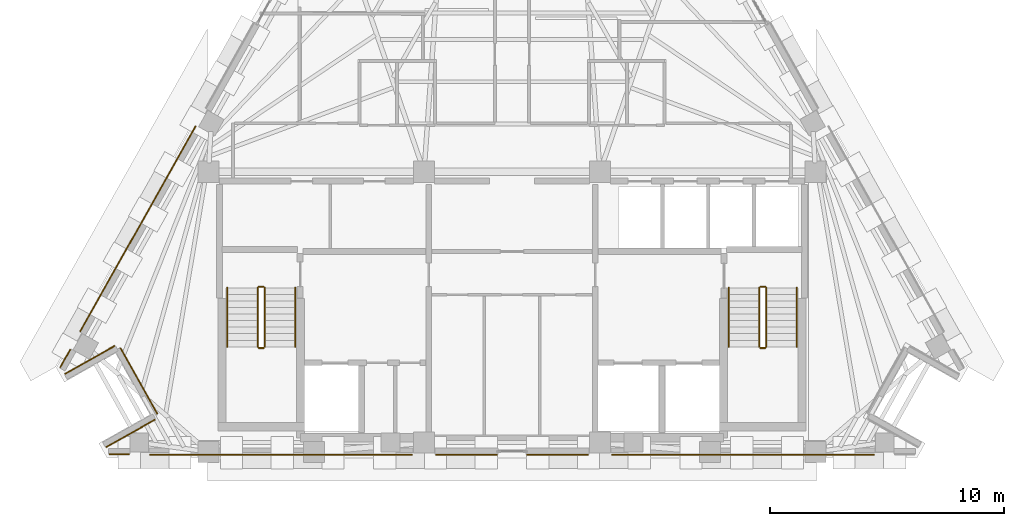
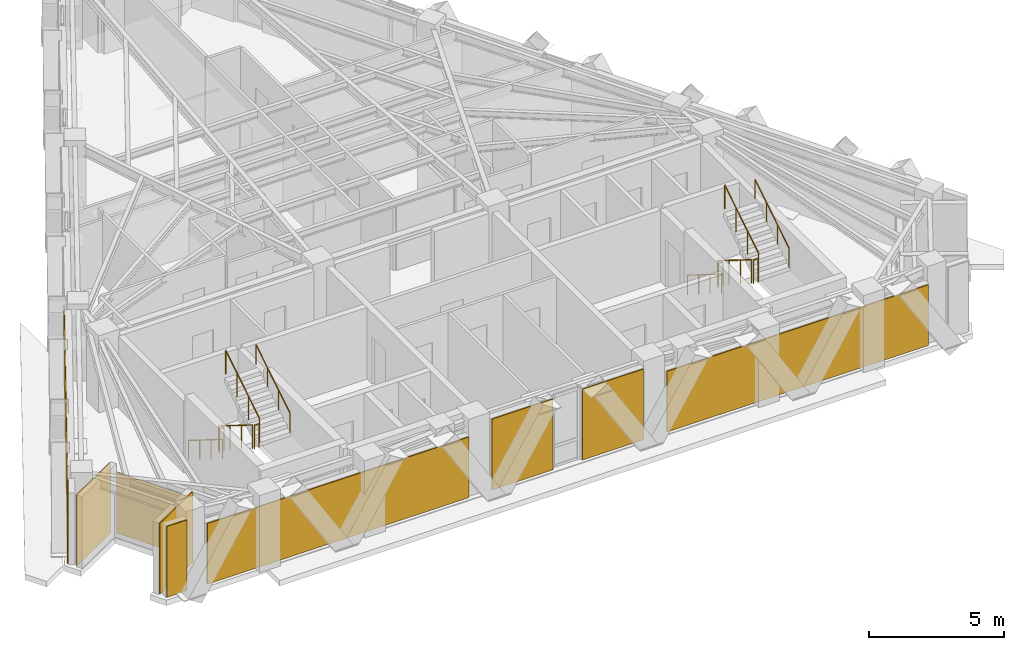
# One storey, part 8 of 9: 12 railings, 10 coverings.
"""IFC4 building model written with IfcOpenShell, lengths in metres."""

from ifc_helpers import new_model, si_unit, direction, frame, origin, origin_2d, place, context, subcontext, project, spatial, polyline, circle, outline, extrude, material, layer, layer_set, type_object, element, save


model = new_model("IFC4")

# Units and contexts
model_context = context("Model", 3, precision=1e-05, world=origin(), true_north=direction((0.0, 1.0)))
body_context = subcontext(model_context, "Body", "Model", "MODEL_VIEW")
ifc_project = project(units=[si_unit("LENGTHUNIT", "METRE"), si_unit("AREAUNIT", "SQUARE_METRE"), si_unit("VOLUMEUNIT", "CUBIC_METRE"), si_unit("PLANEANGLEUNIT", "RADIAN"), si_unit("MASSUNIT", "GRAM", prefix="KILO")], contexts=[model_context])

# Site, building, storey
site_placement = place(None, origin())
site = spatial("IfcSite", under=ifc_project, at=site_placement, CompositionType="ELEMENT")
building_placement = place(site_placement, origin())
building = spatial("IfcBuilding", under=site, at=building_placement, Name="Quenlor Broadcast Tower", CompositionType="ELEMENT")
storey_placement = place(building_placement, frame((0.0, 0.0, 228.89990234375)))
storey = spatial("IfcBuildingStorey", under=building, at=storey_placement, Name="L63", CompositionType="ELEMENT", Elevation=228.89990234375)

# Coverings
ifc_material_1 = material(Name="Architectural Terracotta Ceramic", Category="masonry")
ifc_layer = layer(ifc_material_1, 0.044921875)
ifc_layer_set = layer_set([ifc_layer], Name="Fluted Terracotta Rainscreen Cladding Panel")
covering_type = type_object("IfcCoveringType", Name="Fluted Terracotta Rainscreen Cladding Panel", PredefinedType="CLADDING", material=ifc_layer_set)
covering_1_placement = place(storey_placement, frame((0.0, 0.0, 0.02001953125)))
element("IfcCovering", 1, at=covering_1_placement, inside=storey, type_object=covering_type, Name="L63 Terracotta Rainscreen Cladding L63-SHD-SS1", PredefinedType="CLADDING", context=body_context, shape_type="SweptSolid", body=[
    extrude(outline(polyline([(-16.33251953125, -16.8369140625), (-17.18994140625, -16.8369140625), (-17.18994140625, -16.882080078125), (-16.33251953125, -16.882080078125), (-16.33251953125, -16.8369140625)])), origin(), (0.0, 0.0, 1.0), 3.2099609375),
])
covering_2_placement = place(storey_placement, frame((0.0, 0.0, 0.02001953125)))
element("IfcCovering", 2, at=covering_2_placement, inside=storey, type_object=covering_type, Name="L63 Terracotta Rainscreen Cladding L63-EW-SA", PredefinedType="CLADDING", context=body_context, shape_type="SweptSolid", body=[
    extrude(outline(polyline([(15.462646484375, -16.846923828125), (4.25, -16.846923828125), (4.25, -16.89208984375), (15.462646484375, -16.89208984375), (15.462646484375, -16.846923828125)])), origin(), (0.0, 0.0, 1.0), 2.749755859375),
])
covering_3_placement = place(storey_placement, frame((0.0, 0.0, 0.02001953125)))
element("IfcCovering", 3, at=covering_3_placement, inside=storey, type_object=covering_type, Name="L63 Terracotta Rainscreen Cladding L63-EW-SC", PredefinedType="CLADDING", context=body_context, shape_type="SweptSolid", body=[
    extrude(outline(polyline([(-4.25, -16.846923828125), (-15.462646484375, -16.846923828125), (-15.462646484375, -16.89208984375), (-4.25, -16.89208984375), (-4.25, -16.846923828125)])), origin(), (0.0, 0.0, 1.0), 2.749755859375),
])
covering_4_placement = place(storey_placement, frame((0.0, 0.0, 0.02001953125)))
element("IfcCovering", 4, at=covering_4_placement, inside=storey, type_object=covering_type, Name="L63 Terracotta Rainscreen Cladding L63-S-SP1", PredefinedType="CLADDING", context=body_context, shape_type="SweptSolid", body=[
    extrude(outline(polyline([(3.25, -16.846923828125), (0.636474609375, -16.846923828125), (0.636474609375, -16.89208984375), (3.25, -16.89208984375), (3.25, -16.846923828125)])), origin(), (0.0, 0.0, 1.0), 3.2099609375),
])
covering_5_placement = place(storey_placement, frame((0.0, 0.0, 0.02001953125)))
element("IfcCovering", 5, at=covering_5_placement, inside=storey, type_object=covering_type, Name="L63 Terracotta Rainscreen Cladding L63-S-SP2", PredefinedType="CLADDING", context=body_context, shape_type="SweptSolid", body=[
    extrude(outline(polyline([(-0.636474609375, -16.846923828125), (-3.25, -16.846923828125), (-3.25, -16.89208984375), (-0.636474609375, -16.89208984375), (-0.636474609375, -16.846923828125)])), origin(), (0.0, 0.0, 1.0), 3.2099609375),
])
covering_6_placement = place(storey_placement, frame((0.0, 0.0, 0.02001953125)))
element("IfcCovering", 6, at=covering_6_placement, inside=storey, type_object=covering_type, Name="L63 Terracotta Rainscreen Cladding L63-SHD-NWS0", PredefinedType="CLADDING", context=body_context, shape_type="SweptSolid", body=[
    extrude(outline(polyline([(-19.25390625, -13.161376953125), (-18.820068359375, -12.39013671875), (-18.859130859375, -12.3681640625), (-19.29296875, -13.139404296875), (-19.25390625, -13.161376953125)])), origin(), (0.0, 0.0, 1.0), 3.2099609375),
])
covering_7_placement = place(storey_placement, frame((0.0, 0.0, 0.02001953125)))
element("IfcCovering", 7, at=covering_7_placement, inside=storey, type_object=covering_type, Name="L63 Terracotta Rainscreen Cladding L63-EW-NWA", PredefinedType="CLADDING", context=body_context, shape_type="SweptSolid", body=[
    extrude(outline(polyline([(-18.402099609375, -11.626953125), (-13.471923828125, -2.862060546875), (-13.51123046875, -2.840087890625), (-18.44140625, -11.60498046875), (-18.402099609375, -11.626953125)])), origin(), (0.0, 0.0, 1.0), 3.2099609375),
])
covering_8_placement = place(storey_placement, frame((0.0, 0.0, 0.02001953125)))
element("IfcCovering", 8, at=covering_8_placement, inside=storey, type_object=covering_type, Name="L63 Terracotta Rainscreen Cladding L63-CNR-13", PredefinedType="CLADDING", context=body_context, shape_type="SweptSolid", body=[
    extrude(outline(polyline([(-19.062255859375, -13.444091796875), (-16.935546875, -12.247802734375), (-16.95751953125, -12.208740234375), (-19.084228515625, -13.405029296875), (-19.062255859375, -13.444091796875)])), origin(), (0.0, 0.0, 1.0), 3.2099609375),
])
covering_9_placement = place(storey_placement, frame((0.0, 0.0, 0.02001953125)))
element("IfcCovering", 9, at=covering_9_placement, inside=storey, type_object=covering_type, Name="L63 Terracotta Rainscreen Cladding L63-CNR-14", PredefinedType="CLADDING", context=body_context, shape_type="SweptSolid", body=[
    extrude(outline(polyline([(-16.72265625, -12.3369140625), (-15.14599609375, -15.139892578125), (-15.106689453125, -15.117919921875), (-16.683349609375, -12.31494140625), (-16.72265625, -12.3369140625)])), origin(), (0.0, 0.0, 1.0), 2.749755859375),
])
covering_10_placement = place(storey_placement, frame((0.0, 0.0, 0.02001953125)))
element("IfcCovering", 10, at=covering_10_placement, inside=storey, type_object=covering_type, Name="L63 Terracotta Rainscreen Cladding L63-CNR-15", PredefinedType="CLADDING", context=body_context, shape_type="SweptSolid", body=[
    extrude(outline(polyline([(-15.23486328125, -15.352783203125), (-17.32666015625, -16.529541015625), (-17.3046875, -16.568603515625), (-15.212890625, -15.39208984375), (-15.23486328125, -15.352783203125)])), origin(), (0.0, 0.0, 1.0), 3.2099609375),
])

# Railings
ifc_material_2 = material(Name="Anodised Aluminium", Category="aluminium")
railing_type_1 = type_object("IfcRailingType", Name="Stainless Aluminium Wall Handrail 900", PredefinedType="HANDRAIL", material=ifc_material_2)
railing_1_placement = place(storey_placement, frame((-12.14990234375, -9.75, 0.175048828125)))
element("IfcRailing", 11, at=railing_1_placement, inside=storey, type_object=railing_type_1, Name="L63 ST-1 stair handrail 1", PredefinedType="HANDRAIL", context=body_context, shape_type="SweptSolid", body=[
    extrude(circle(Radius=0.02392578125, at=origin_2d()), frame((0.0, 0.0, 0.8759765625), z_axis=(0.0, -0.848007534815, 0.529984170421), x_axis=(1.0, 0.0, 0.0)), (0.0, 0.0, 1.0), 2.9716796875),
    extrude(circle(Radius=0.02099609375, at=origin_2d()), origin(), (0.0, 0.0, 1.0), 0.851806640625),
    extrude(circle(Radius=0.02099609375, at=origin_2d()), frame((0.0, -0.840087890625, 0.52490234375)), (0.0, 0.0, 1.0), 0.851806640625),
    extrude(circle(Radius=0.02099609375, at=origin_2d()), frame((0.0, -1.679931640625, 1.050048828125)), (0.0, 0.0, 1.0), 0.851806640625),
    extrude(circle(Radius=0.02099609375, at=origin_2d()), frame((0.0, -2.52001953125, 1.574951171875)), (0.0, 0.0, 1.0), 0.851806640625),
])
railing_2_placement = place(storey_placement, frame((-9.25, -12.27001953125, 1.925048828125)))
element("IfcRailing", 12, at=railing_2_placement, inside=storey, type_object=railing_type_1, Name="L63 ST-1 stair handrail 2", PredefinedType="HANDRAIL", context=body_context, shape_type="SweptSolid", body=[
    extrude(circle(Radius=0.02392578125, at=origin_2d()), frame((0.0, 0.0, 0.8759765625), z_axis=(0.0, 0.848007534815, 0.529984170421), x_axis=(-1.0, 0.0, 0.0)), (0.0, 0.0, 1.0), 2.9716796875),
    extrude(circle(Radius=0.02099609375, at=origin_2d()), origin(), (0.0, 0.0, 1.0), 0.851806640625),
    extrude(circle(Radius=0.02099609375, at=origin_2d()), frame((0.0, 0.840087890625, 0.52490234375)), (0.0, 0.0, 1.0), 0.851806640625),
    extrude(circle(Radius=0.02099609375, at=origin_2d()), frame((0.0, 1.679931640625, 1.050048828125)), (0.0, 0.0, 1.0), 0.851806640625),
    extrude(circle(Radius=0.02099609375, at=origin_2d()), frame((0.0, 2.52001953125, 1.574951171875)), (0.0, 0.0, 1.0), 0.851806640625),
])
railing_3_placement = place(storey_placement, frame((9.25, -9.75, 0.175048828125)))
element("IfcRailing", 13, at=railing_3_placement, inside=storey, type_object=railing_type_1, Name="L63 ST-2 stair handrail 1", PredefinedType="HANDRAIL", context=body_context, shape_type="SweptSolid", body=[
    extrude(circle(Radius=0.02392578125, at=origin_2d()), frame((0.0, 0.0, 0.8759765625), z_axis=(0.0, -0.848007534815, 0.529984170421), x_axis=(1.0, 0.0, 0.0)), (0.0, 0.0, 1.0), 2.9716796875),
    extrude(circle(Radius=0.02099609375, at=origin_2d()), origin(), (0.0, 0.0, 1.0), 0.851806640625),
    extrude(circle(Radius=0.02099609375, at=origin_2d()), frame((0.0, -0.840087890625, 0.52490234375)), (0.0, 0.0, 1.0), 0.851806640625),
    extrude(circle(Radius=0.02099609375, at=origin_2d()), frame((0.0, -1.679931640625, 1.050048828125)), (0.0, 0.0, 1.0), 0.851806640625),
    extrude(circle(Radius=0.02099609375, at=origin_2d()), frame((0.0, -2.52001953125, 1.574951171875)), (0.0, 0.0, 1.0), 0.851806640625),
])
railing_4_placement = place(storey_placement, frame((12.14990234375, -12.27001953125, 1.925048828125)))
element("IfcRailing", 14, at=railing_4_placement, inside=storey, type_object=railing_type_1, Name="L63 ST-2 stair handrail 2", PredefinedType="HANDRAIL", context=body_context, shape_type="SweptSolid", body=[
    extrude(circle(Radius=0.02392578125, at=origin_2d()), frame((0.0, 0.0, 0.8759765625), z_axis=(0.0, 0.848007534815, 0.529984170421), x_axis=(-1.0, 0.0, 0.0)), (0.0, 0.0, 1.0), 2.9716796875),
    extrude(circle(Radius=0.02099609375, at=origin_2d()), origin(), (0.0, 0.0, 1.0), 0.851806640625),
    extrude(circle(Radius=0.02099609375, at=origin_2d()), frame((0.0, 0.840087890625, 0.52490234375)), (0.0, 0.0, 1.0), 0.851806640625),
    extrude(circle(Radius=0.02099609375, at=origin_2d()), frame((0.0, 1.679931640625, 1.050048828125)), (0.0, 0.0, 1.0), 0.851806640625),
    extrude(circle(Radius=0.02099609375, at=origin_2d()), frame((0.0, 2.52001953125, 1.574951171875)), (0.0, 0.0, 1.0), 0.851806640625),
])
ifc_material_3 = material(Name="Steel S355", Category="steel")
railing_type_2 = type_object("IfcRailingType", Name="Tubular Steel S355 Stair Guardrail 1100", PredefinedType="BALUSTRADE", material=ifc_material_3)
railing_5_placement = place(storey_placement, frame((-10.85009765625, -9.75, 0.175048828125)))
element("IfcRailing", 15, at=railing_5_placement, inside=storey, type_object=railing_type_2, Name="L63 ST-1 stair guard 1", PredefinedType="BALUSTRADE", context=body_context, shape_type="SweptSolid", body=[
    extrude(circle(Radius=0.02392578125, at=origin_2d()), frame((0.0, 0.0, 1.076171875), z_axis=(0.0, -0.848007534815, 0.529984170421), x_axis=(1.0, 0.0, 0.0)), (0.0, 0.0, 1.0), 2.9716796875),
    extrude(circle(Radius=0.02099609375, at=origin_2d()), origin(), (0.0, 0.0, 1.0), 1.052001953125),
    extrude(circle(Radius=0.02099609375, at=origin_2d()), frame((0.0, -0.840087890625, 0.52490234375)), (0.0, 0.0, 1.0), 1.052001953125),
    extrude(circle(Radius=0.02099609375, at=origin_2d()), frame((0.0, -1.679931640625, 1.050048828125)), (0.0, 0.0, 1.0), 1.052001953125),
    extrude(circle(Radius=0.02099609375, at=origin_2d()), frame((0.0, -2.52001953125, 1.574951171875)), (0.0, 0.0, 1.0), 1.052001953125),
])
railing_6_placement = place(storey_placement, frame((-10.800048828125, -12.320068359375, 1.75)))
element("IfcRailing", 16, at=railing_6_placement, inside=storey, type_object=railing_type_2, Name="L63 ST-1 stair guard 2", PredefinedType="BALUSTRADE", context=body_context, shape_type="SweptSolid", body=[
    extrude(circle(Radius=0.02392578125, at=origin_2d()), frame((0.0, 0.0, 1.076171875), z_axis=(1.0, 0.0, 0.0), x_axis=(0.0, 1.0, 0.0)), (0.0, 0.0, 1.0), 0.199951171875),
    extrude(circle(Radius=0.02099609375, at=origin_2d()), origin(), (0.0, 0.0, 1.0), 1.052001953125),
    extrude(circle(Radius=0.02099609375, at=origin_2d()), frame((0.199951171875, 0.0, 0.0)), (0.0, 0.0, 1.0), 1.052001953125),
])
railing_7_placement = place(storey_placement, frame((-10.550048828125, -12.27001953125, 1.925048828125)))
element("IfcRailing", 17, at=railing_7_placement, inside=storey, type_object=railing_type_2, Name="L63 ST-1 stair guard 3", PredefinedType="BALUSTRADE", context=body_context, shape_type="SweptSolid", body=[
    extrude(circle(Radius=0.02392578125, at=origin_2d()), frame((0.0, 0.0, 1.076171875), z_axis=(0.0, 0.848007534815, 0.529984170421), x_axis=(-1.0, 0.0, 0.0)), (0.0, 0.0, 1.0), 2.9716796875),
    extrude(circle(Radius=0.02099609375, at=origin_2d()), origin(), (0.0, 0.0, 1.0), 1.052001953125),
    extrude(circle(Radius=0.02099609375, at=origin_2d()), frame((0.0, 0.840087890625, 0.52490234375)), (0.0, 0.0, 1.0), 1.052001953125),
    extrude(circle(Radius=0.02099609375, at=origin_2d()), frame((0.0, 1.679931640625, 1.050048828125)), (0.0, 0.0, 1.0), 1.052001953125),
    extrude(circle(Radius=0.02099609375, at=origin_2d()), frame((0.0, 2.52001953125, 1.574951171875)), (0.0, 0.0, 1.0), 1.052001953125),
])
railing_8_placement = place(storey_placement, frame((-10.800048828125, -9.699951171875, 0.0)))
element("IfcRailing", 18, at=railing_8_placement, inside=storey, type_object=railing_type_2, Name="L63 ST-1 stair guard 4", PredefinedType="BALUSTRADE", context=body_context, shape_type="SweptSolid", body=[
    extrude(circle(Radius=0.02392578125, at=origin_2d()), frame((0.0, 0.0, 1.076171875), z_axis=(1.0, 0.0, 0.0), x_axis=(0.0, 1.0, 0.0)), (0.0, 0.0, 1.0), 0.199951171875),
    extrude(circle(Radius=0.02099609375, at=origin_2d()), origin(), (0.0, 0.0, 1.0), 1.052001953125),
    extrude(circle(Radius=0.02099609375, at=origin_2d()), frame((0.199951171875, 0.0, 0.0)), (0.0, 0.0, 1.0), 1.052001953125),
])
railing_9_placement = place(storey_placement, frame((10.550048828125, -9.75, 0.175048828125)))
element("IfcRailing", 19, at=railing_9_placement, inside=storey, type_object=railing_type_2, Name="L63 ST-2 stair guard 1", PredefinedType="BALUSTRADE", context=body_context, shape_type="SweptSolid", body=[
    extrude(circle(Radius=0.02392578125, at=origin_2d()), frame((0.0, 0.0, 1.076171875), z_axis=(0.0, -0.848007534815, 0.529984170421), x_axis=(1.0, 0.0, 0.0)), (0.0, 0.0, 1.0), 2.9716796875),
    extrude(circle(Radius=0.02099609375, at=origin_2d()), origin(), (0.0, 0.0, 1.0), 1.052001953125),
    extrude(circle(Radius=0.02099609375, at=origin_2d()), frame((0.0, -0.840087890625, 0.52490234375)), (0.0, 0.0, 1.0), 1.052001953125),
    extrude(circle(Radius=0.02099609375, at=origin_2d()), frame((0.0, -1.679931640625, 1.050048828125)), (0.0, 0.0, 1.0), 1.052001953125),
    extrude(circle(Radius=0.02099609375, at=origin_2d()), frame((0.0, -2.52001953125, 1.574951171875)), (0.0, 0.0, 1.0), 1.052001953125),
])
railing_10_placement = place(storey_placement, frame((10.60009765625, -12.320068359375, 1.75)))
element("IfcRailing", 20, at=railing_10_placement, inside=storey, type_object=railing_type_2, Name="L63 ST-2 stair guard 2", PredefinedType="BALUSTRADE", context=body_context, shape_type="SweptSolid", body=[
    extrude(circle(Radius=0.02392578125, at=origin_2d()), frame((0.0, 0.0, 1.076171875), z_axis=(1.0, 0.0, 0.0), x_axis=(0.0, 1.0, 0.0)), (0.0, 0.0, 1.0), 0.199951171875),
    extrude(circle(Radius=0.02099609375, at=origin_2d()), origin(), (0.0, 0.0, 1.0), 1.052001953125),
    extrude(circle(Radius=0.02099609375, at=origin_2d()), frame((0.199951171875, 0.0, 0.0)), (0.0, 0.0, 1.0), 1.052001953125),
])
railing_11_placement = place(storey_placement, frame((10.85009765625, -12.27001953125, 1.925048828125)))
element("IfcRailing", 21, at=railing_11_placement, inside=storey, type_object=railing_type_2, Name="L63 ST-2 stair guard 3", PredefinedType="BALUSTRADE", context=body_context, shape_type="SweptSolid", body=[
    extrude(circle(Radius=0.02392578125, at=origin_2d()), frame((0.0, 0.0, 1.076171875), z_axis=(0.0, 0.848007534815, 0.529984170421), x_axis=(-1.0, 0.0, 0.0)), (0.0, 0.0, 1.0), 2.9716796875),
    extrude(circle(Radius=0.02099609375, at=origin_2d()), origin(), (0.0, 0.0, 1.0), 1.052001953125),
    extrude(circle(Radius=0.02099609375, at=origin_2d()), frame((0.0, 0.840087890625, 0.52490234375)), (0.0, 0.0, 1.0), 1.052001953125),
    extrude(circle(Radius=0.02099609375, at=origin_2d()), frame((0.0, 1.679931640625, 1.050048828125)), (0.0, 0.0, 1.0), 1.052001953125),
    extrude(circle(Radius=0.02099609375, at=origin_2d()), frame((0.0, 2.52001953125, 1.574951171875)), (0.0, 0.0, 1.0), 1.052001953125),
])
railing_12_placement = place(storey_placement, frame((10.60009765625, -9.699951171875, 0.0)))
element("IfcRailing", 22, at=railing_12_placement, inside=storey, type_object=railing_type_2, Name="L63 ST-2 stair guard 4", PredefinedType="BALUSTRADE", context=body_context, shape_type="SweptSolid", body=[
    extrude(circle(Radius=0.02392578125, at=origin_2d()), frame((0.0, 0.0, 1.076171875), z_axis=(1.0, 0.0, 0.0), x_axis=(0.0, 1.0, 0.0)), (0.0, 0.0, 1.0), 0.199951171875),
    extrude(circle(Radius=0.02099609375, at=origin_2d()), origin(), (0.0, 0.0, 1.0), 1.052001953125),
    extrude(circle(Radius=0.02099609375, at=origin_2d()), frame((0.199951171875, 0.0, 0.0)), (0.0, 0.0, 1.0), 1.052001953125),
])

save(model, "model.ifc")
